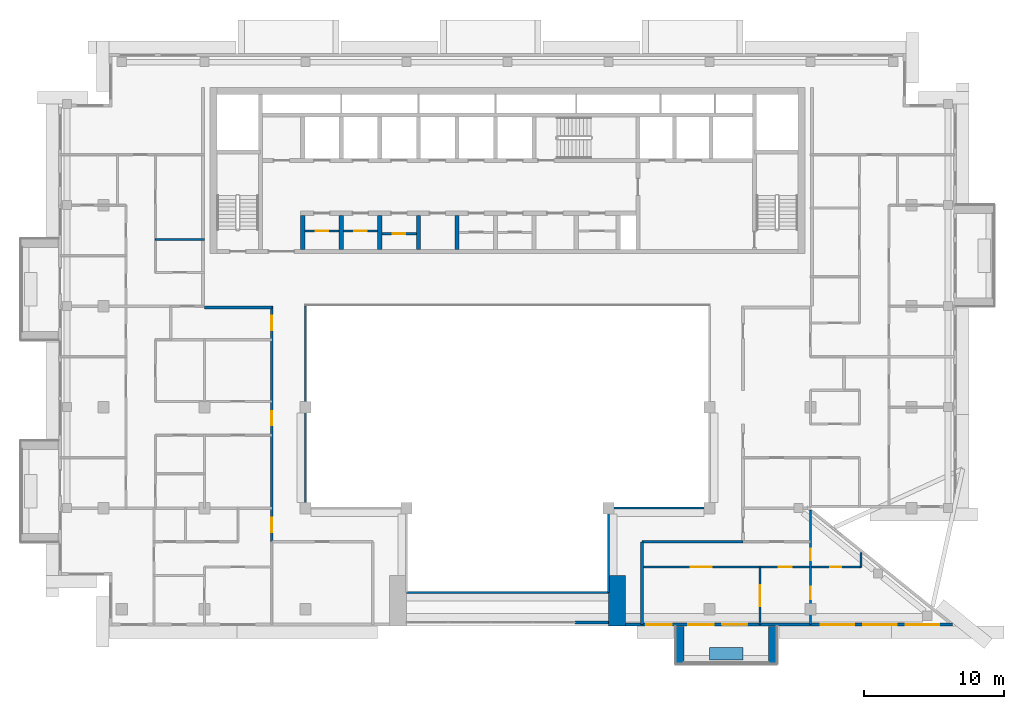
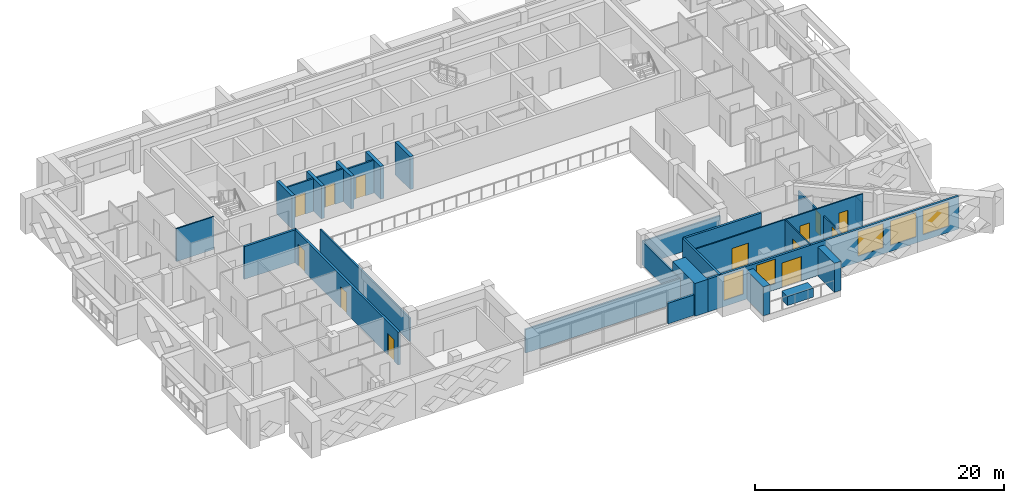
# One storey, part 8 of 19: 27 walls, 13 doors, 5 windows, 18 openings.
"""IFC4 building model written with IfcOpenShell, lengths in metres."""

from ifc_helpers import new_model, si_unit, direction, frame, frame_2d, origin, place, context, subcontext, project, spatial, rectangle, extrude, material, layer, layer_set, type_object, element, fill, save


model = new_model("IFC4")

# Units and contexts
model_context = context("Model", 3, precision=1e-05, world=origin(), true_north=direction((0.0, 1.0)))
body_context = subcontext(model_context, "Body", "Model", "MODEL_VIEW")
ifc_project = project(units=[si_unit("LENGTHUNIT", "METRE"), si_unit("AREAUNIT", "SQUARE_METRE"), si_unit("VOLUMEUNIT", "CUBIC_METRE"), si_unit("PLANEANGLEUNIT", "RADIAN"), si_unit("MASSUNIT", "GRAM", prefix="KILO")], contexts=[model_context])

# Site, building, storey
site_placement = place(None, origin())
site = spatial("IfcSite", under=ifc_project, at=site_placement, CompositionType="ELEMENT")
building_placement = place(site_placement, origin())
building = spatial("IfcBuilding", under=site, at=building_placement, Name="Saffron Iwan Residences", CompositionType="ELEMENT")
storey_placement = place(building_placement, frame((0.0, 0.0, 250.0)))
storey = spatial("IfcBuildingStorey", under=building, at=storey_placement, Name="L67", CompositionType="ELEMENT", Elevation=250.0)

# Walls
ifc_material_1 = material(Name="Fire-rated glazing", Category="glass")
ifc_layer_1 = layer(ifc_material_1, 0.14990234375)
ifc_layer_set_1 = layer_set([ifc_layer_1], Name="Fire-rated glazing")
wall_type_1 = type_object("IfcWallType", Name="Atrium glazed screen 150", PredefinedType="SOLIDWALL", material=ifc_layer_set_1)
wall_1_placement = place(storey_placement, frame((43.199951171875, 42.0, 0.0), z_axis=(0.0, 0.0, 1.0), x_axis=(1.0, 0.0, 0.0)))
element("IfcWall", 1, at=wall_1_placement, inside=storey, type_object=wall_type_1, Name="W-L67-SCREEN-h42-43.2", PredefinedType="SOLIDWALL", context=body_context, shape_type="SweptSolid", body=[
    extrude(rectangle(XDim=14.400146484375, YDim=0.14990234375, at=frame_2d((7.2001953125, 0.0))), origin(), (0.0, 0.0, 1.0), 2.320068359375),
])
wall_2_placement = place(storey_placement, frame((57.60009765625, 48.0, 0.0), z_axis=(0.0, 0.0, 1.0), x_axis=(1.0, 0.0, 0.0)))
element("IfcWall", 2, at=wall_2_placement, inside=storey, type_object=wall_type_1, Name="W-L67-SCREEN-h48-57.6", PredefinedType="SOLIDWALL", context=body_context, shape_type="SweptSolid", body=[
    extrude(rectangle(XDim=7.199951171875, YDim=0.14990234375, at=frame_2d((3.60009765625, 0.0))), origin(), (0.0, 0.0, 1.0), 2.320068359375),
])
wall_3_placement = place(storey_placement, frame((36.0, 48.0, 0.0), z_axis=(0.0, 0.0, 1.0), x_axis=(0.0, 1.0, 0.0)))
element("IfcWall", 3, at=wall_3_placement, inside=storey, type_object=wall_type_1, Name="W-L67-SCREEN-v36-48", PredefinedType="SOLIDWALL", context=body_context, shape_type="SweptSolid", body=[
    extrude(rectangle(XDim=14.39990234375, YDim=0.14990234375, at=frame_2d((7.199951171875, 0.0))), origin(), (0.0, 0.0, 1.0), 2.320068359375),
])
wall_4_placement = place(storey_placement, frame((57.60009765625, 42.0, 0.0), z_axis=(0.0, 0.0, 1.0), x_axis=(0.0, 1.0, 0.0)))
element("IfcWall", 4, at=wall_4_placement, inside=storey, type_object=wall_type_1, Name="W-L67-SCREEN-v57.6-42", PredefinedType="SOLIDWALL", context=body_context, shape_type="SweptSolid", body=[
    extrude(rectangle(XDim=6.0, YDim=0.14990234375, at=frame_2d((3.0, 0.0))), origin(), (0.0, 0.0, 1.0), 2.320068359375),
])
ifc_material_2 = material(Name="Concrete C50/60 white painted", Category="concrete")
ifc_layer_2 = layer(ifc_material_2, 0.60009765625)
ifc_layer_set_2 = layer_set([ifc_layer_2], Name="Concrete C50/60 white painted")
wall_type_2 = type_object("IfcWallType", Name="BALCONY FIN 600", PredefinedType="SOLIDWALL", material=ifc_layer_set_2)
for number, where, z_axis, x_axis, name in (
    (5, (62.699951171875, 39.550048828125, 0.0), (0.0, 0.0, 1.0), (0.0, -1.0, 0.0), "Balcony fin L67 11-1a"),
    (6, (69.300048828125, 39.550048828125, 0.0), (0.0, 0.0, 1.0), (0.0, -1.0, 0.0), "Balcony fin L67 11-1b"),
):
    element("IfcWall", number, at=place(storey_placement, frame(where, z_axis=z_axis, x_axis=x_axis)), inside=storey, type_object=wall_type_2, Name=name, PredefinedType="SOLIDWALL", context=body_context, shape_type="SweptSolid", body=[
        extrude(rectangle(XDim=2.650146484375, YDim=0.60009765625, at=frame_2d((1.3251953125, 0.0))), origin(), (0.0, 0.0, 1.0), 2.85009765625),
    ])
ifc_material_3 = material(Name="Concrete C35/45 white painted", Category="concrete")
ifc_layer_3 = layer(ifc_material_3, 0.14990234375)
ifc_layer_set_3 = layer_set([ifc_layer_3], Name="Concrete C35/45 white painted")
wall_type_3 = type_object("IfcWallType", Name="BALCONY PLANTER", PredefinedType="SOLIDWALL", material=ifc_layer_set_3)
wall_5_placement = place(storey_placement, frame((64.800048828125, 37.625, 0.0), z_axis=(0.0, 0.0, 1.0), x_axis=(1.0, 0.0, 0.0)))
element("IfcWall", 7, at=wall_5_placement, inside=storey, type_object=wall_type_3, Name="PLANTER L67 11-1", PredefinedType="SOLIDWALL", context=body_context, shape_type="SweptSolid", body=[
    extrude(rectangle(XDim=2.39990234375, YDim=0.89990234375, at=frame_2d((1.199951171875, 0.0))), origin(), (0.0, 0.0, 1.0), 0.89990234375),
])

# Wall, opening, door
ifc_material_4 = material(Name="Fire-rated plasterboard partition")
ifc_layer_4 = layer(ifc_material_4, 0.14990234375)
ifc_layer_set_4 = layer_set([ifc_layer_4], Name="Fire-rated plasterboard partition")
wall_type_4 = type_object("IfcWallType", Name="Core partition 150", PredefinedType="PARTITIONING", material=ifc_layer_set_4)
wall_6_placement = place(storey_placement, frame((35.949951171875, 67.759521484375, 0.0), z_axis=(0.0, 0.0, 1.0), x_axis=(1.0, 0.0, 0.0)))
wall_6 = element("IfcWall", 8, at=wall_6_placement, inside=storey, type_object=wall_type_4, Name="Core partition P01", PredefinedType="PARTITIONING", context=body_context, shape_type="SweptSolid", body=[
    extrude(rectangle(XDim=2.449951171875, YDim=0.14990234375, at=frame_2d((1.22509765625, 0.0))), origin(), (0.0, 0.0, 1.0), 3.219970703125),
])
opening_1_placement = place(wall_6_placement, frame((0.77490234375, 0.0, 0.0)))
opening_1 = element("IfcOpeningElement", 9, at=opening_1_placement, cuts=wall_6, Name="Opening SB", PredefinedType="OPENING", context=body_context, shape_type="SweptSolid", body=[
    extrude(rectangle(XDim=0.89990234375, YDim=2.10009765625, at=frame_2d((0.449951171875, 1.050048828125))), frame((0.0, 0.0849609375, 0.0), z_axis=(0.0, -1.0, 0.0), x_axis=(1.0, 0.0, 0.0)), (0.0, 0.0, 1.0), 0.169921875),
])
ifc_material_5 = material(Name="Steel fire door", Category="steel")
door_type_1 = type_object("IfcDoorType", Name="Store door 900", OperationType="NOTDEFINED", PredefinedType="DOOR", material=ifc_material_5)
door_1_placement = place(opening_1_placement, origin())
door_1 = element("IfcDoor", 10, at=door_1_placement, inside=storey, type_object=door_type_1, Name="Door Tool store", OperationType="SINGLE_SWING_LEFT", OverallHeight=2.10009765625, OverallWidth=0.89990234375, PredefinedType="DOOR", context=body_context, shape_type="SweptSolid", body=[
    extrude(rectangle(XDim=0.89990234375, YDim=2.10009765625, at=frame_2d((0.449951171875, 1.050048828125))), frame((0.0, 0.02490234375, 0.0), z_axis=(0.0, -1.0, 0.0), x_axis=(1.0, 0.0, 0.0)), (0.0, 0.0, 1.0), 0.050048828125),
])
fill(opening_1, door_1)

wall_7_placement = place(storey_placement, frame((38.699951171875, 67.759521484375, 0.0), z_axis=(0.0, 0.0, 1.0), x_axis=(1.0, 0.0, 0.0)))
wall_7 = element("IfcWall", 11, at=wall_7_placement, inside=storey, type_object=wall_type_4, Name="Core partition P02", PredefinedType="PARTITIONING", context=body_context, shape_type="SweptSolid", body=[
    extrude(rectangle(XDim=2.449951171875, YDim=0.14990234375, at=frame_2d((1.22509765625, 0.0))), origin(), (0.0, 0.0, 1.0), 3.219970703125),
])
opening_2_placement = place(wall_7_placement, frame((0.77490234375, 0.0, 0.0)))
opening_2 = element("IfcOpeningElement", 12, at=opening_2_placement, cuts=wall_7, Name="Opening SB", PredefinedType="OPENING", context=body_context, shape_type="SweptSolid", body=[
    extrude(rectangle(XDim=0.89990234375, YDim=2.10009765625, at=frame_2d((0.449951171875, 1.050048828125))), frame((0.0, 0.0849609375, 0.0), z_axis=(0.0, -1.0, 0.0), x_axis=(1.0, 0.0, 0.0)), (0.0, 0.0, 1.0), 0.169921875),
])
door_2_placement = place(opening_2_placement, origin())
door_2 = element("IfcDoor", 13, at=door_2_placement, inside=storey, type_object=door_type_1, Name="Door Cabling room", OperationType="SINGLE_SWING_RIGHT", OverallHeight=2.10009765625, OverallWidth=0.89990234375, PredefinedType="DOOR", context=body_context, shape_type="SweptSolid", body=[
    extrude(rectangle(XDim=0.89990234375, YDim=2.10009765625, at=frame_2d((0.449951171875, 1.050048828125))), frame((0.0, 0.02490234375, 0.0), z_axis=(0.0, -1.0, 0.0), x_axis=(1.0, 0.0, 0.0)), (0.0, 0.0, 1.0), 0.050048828125),
])
fill(opening_2, door_2)

wall_8_placement = place(storey_placement, frame((41.449951171875, 67.5654296875, 0.0), z_axis=(0.0, 0.0, 1.0), x_axis=(1.0, 0.0, 0.0)))
wall_8 = element("IfcWall", 14, at=wall_8_placement, inside=storey, type_object=wall_type_4, Name="Core partition P03", PredefinedType="PARTITIONING", context=body_context, shape_type="SweptSolid", body=[
    extrude(rectangle(XDim=2.449951171875, YDim=0.14990234375, at=frame_2d((1.22509765625, 0.0))), origin(), (0.0, 0.0, 1.0), 3.219970703125),
])
opening_3_placement = place(wall_8_placement, frame((0.77490234375, 0.0, 0.0)))
opening_3 = element("IfcOpeningElement", 15, at=opening_3_placement, cuts=wall_8, Name="Opening SB", PredefinedType="OPENING", context=body_context, shape_type="SweptSolid", body=[
    extrude(rectangle(XDim=0.89990234375, YDim=2.10009765625, at=frame_2d((0.449951171875, 1.050048828125))), frame((0.0, 0.0849609375, 0.0), z_axis=(0.0, -1.0, 0.0), x_axis=(1.0, 0.0, 0.0)), (0.0, 0.0, 1.0), 0.169921875),
])
door_3_placement = place(opening_3_placement, origin())
door_3 = element("IfcDoor", 16, at=door_3_placement, inside=storey, type_object=door_type_1, Name="Door Equipment store", OperationType="SINGLE_SWING_RIGHT", OverallHeight=2.10009765625, OverallWidth=0.89990234375, PredefinedType="DOOR", context=body_context, shape_type="SweptSolid", body=[
    extrude(rectangle(XDim=0.89990234375, YDim=2.10009765625, at=frame_2d((0.449951171875, 1.050048828125))), frame((0.0, 0.02490234375, 0.0), z_axis=(0.0, -1.0, 0.0), x_axis=(1.0, 0.0, 0.0)), (0.0, 0.0, 1.0), 0.050048828125),
])
fill(opening_3, door_3)

# Wall, openings, door, windows
ifc_material_6 = material(Name="Concrete C40/50", Category="concrete")
ifc_layer_5 = layer(ifc_material_6, 0.199951171875)
ifc_layer_set_5 = layer_set([ifc_layer_5], Name="Concrete C40/50")
wall_type_5 = type_object("IfcWallType", Name="EXTERNAL WALL 200", PredefinedType="SOLIDWALL", material=ifc_layer_set_5)
wall_9_placement = place(storey_placement, frame((58.800048828125, 39.699951171875, 0.0), z_axis=(0.0, 0.0, 1.0), x_axis=(1.0, 0.0, 0.0)))
wall_9 = element("IfcWall", 17, at=wall_9_placement, inside=storey, type_object=wall_type_5, Name="External wall L67 F11.1", PredefinedType="SOLIDWALL", context=body_context, shape_type="SweptSolid", body=[
    extrude(rectangle(XDim=23.31689453125, YDim=0.199951171875, at=frame_2d((11.658447265625, 0.0))), origin(), (0.0, 0.0, 1.0), 3.219970703125),
])
opening_4_placement = place(wall_9_placement, frame((6.89990234375, 0.0, 0.0)))
opening_4 = element("IfcOpeningElement", 18, at=opening_4_placement, cuts=wall_9, Name="Opening BD1", PredefinedType="OPENING", context=body_context, shape_type="SweptSolid", body=[
    extrude(rectangle(XDim=1.800048828125, YDim=2.39990234375, at=frame_2d((0.89990234375, 1.199951171875))), frame((0.0, 0.10986328125, 0.0), z_axis=(0.0, -1.0, 0.0), x_axis=(1.0, 0.0, 0.0)), (0.0, 0.0, 1.0), 0.219970703125),
])
opening_5_placement = place(wall_9_placement, frame((1.5, 0.0, 0.60009765625)))
opening_5 = element("IfcOpeningElement", 19, at=opening_5_placement, cuts=wall_9, Name="Opening W8", PredefinedType="OPENING", context=body_context, shape_type="SweptSolid", body=[
    extrude(rectangle(XDim=1.800048828125, YDim=2.39990234375, at=frame_2d((0.89990234375, 1.199951171875))), frame((0.0, 0.10986328125, 0.0), z_axis=(0.0, -1.0, 0.0), x_axis=(1.0, 0.0, 0.0)), (0.0, 0.0, 1.0), 0.219970703125),
])
opening_6_placement = place(wall_9_placement, frame((4.5, 0.0, 0.60009765625)))
opening_6 = element("IfcOpeningElement", 20, at=opening_6_placement, cuts=wall_9, Name="Opening W8", PredefinedType="OPENING", context=body_context, shape_type="SweptSolid", body=[
    extrude(rectangle(XDim=1.800048828125, YDim=2.39990234375, at=frame_2d((0.89990234375, 1.199951171875))), frame((0.0, 0.10986328125, 0.0), z_axis=(0.0, -1.0, 0.0), x_axis=(1.0, 0.0, 0.0)), (0.0, 0.0, 1.0), 0.219970703125),
])
opening_7_placement = place(wall_9_placement, frame((13.92919921875, 0.0, 0.60009765625)))
opening_7 = element("IfcOpeningElement", 21, at=opening_7_placement, cuts=wall_9, Name="Opening W1", PredefinedType="OPENING", context=body_context, shape_type="SweptSolid", body=[
    extrude(rectangle(XDim=2.39990234375, YDim=2.39990234375, at=frame_2d((1.199951171875, 1.199951171875))), frame((0.0, 0.10986328125, 0.0), z_axis=(0.0, -1.0, 0.0), x_axis=(1.0, 0.0, 0.0)), (0.0, 0.0, 1.0), 0.219970703125),
])
opening_8_placement = place(wall_9_placement, frame((16.95849609375, 0.0, 0.60009765625)))
opening_8 = element("IfcOpeningElement", 22, at=opening_8_placement, cuts=wall_9, Name="Opening W1", PredefinedType="OPENING", context=body_context, shape_type="SweptSolid", body=[
    extrude(rectangle(XDim=2.39990234375, YDim=2.39990234375, at=frame_2d((1.199951171875, 1.199951171875))), frame((0.0, 0.10986328125, 0.0), z_axis=(0.0, -1.0, 0.0), x_axis=(1.0, 0.0, 0.0)), (0.0, 0.0, 1.0), 0.219970703125),
])
opening_9_placement = place(wall_9_placement, frame((19.98779296875, 0.0, 0.60009765625)))
opening_9 = element("IfcOpeningElement", 23, at=opening_9_placement, cuts=wall_9, Name="Opening W1", PredefinedType="OPENING", context=body_context, shape_type="SweptSolid", body=[
    extrude(rectangle(XDim=2.39990234375, YDim=2.39990234375, at=frame_2d((1.199951171875, 1.199951171875))), frame((0.0, 0.10986328125, 0.0), z_axis=(0.0, -1.0, 0.0), x_axis=(1.0, 0.0, 0.0)), (0.0, 0.0, 1.0), 0.219970703125),
])
ifc_material_7 = material(Name="Clear glass, laminated double glazed", Category="glass")
door_type_2 = type_object("IfcDoorType", Name="BALCONY DOOR 1800 x 2400", OperationType="DOUBLE_DOOR_SLIDING", PredefinedType="DOOR", material=ifc_material_7)
door_4_placement = place(opening_4_placement, origin())
door_4 = element("IfcDoor", 24, at=door_4_placement, inside=storey, type_object=door_type_2, Name="Balcony door L67 F11.0", OperationType="DOUBLE_DOOR_SLIDING", OverallHeight=2.39990234375, OverallWidth=1.800048828125, PredefinedType="DOOR", context=body_context, shape_type="SweptSolid", body=[
    extrude(rectangle(XDim=1.800048828125, YDim=2.39990234375, at=frame_2d((0.89990234375, 1.199951171875))), frame((0.0, 0.02490234375, 0.0), z_axis=(0.0, -1.0, 0.0), x_axis=(1.0, 0.0, 0.0)), (0.0, 0.0, 1.0), 0.050048828125),
])
fill(opening_4, door_4)
window_type_1 = type_object("IfcWindowType", Name="WINDOW 1800 x 2400", PartitioningType="DOUBLE_PANEL_VERTICAL", PredefinedType="WINDOW", material=ifc_material_7)
window_1_placement = place(opening_5_placement, origin())
window_1 = element("IfcWindow", 25, at=window_1_placement, inside=storey, type_object=window_type_1, Name="Window L67 F11.1", OverallHeight=2.39990234375, OverallWidth=1.800048828125, PartitioningType="DOUBLE_PANEL_VERTICAL", PredefinedType="WINDOW", context=body_context, shape_type="SweptSolid", body=[
    extrude(rectangle(XDim=1.800048828125, YDim=2.39990234375, at=frame_2d((0.89990234375, 1.199951171875))), frame((0.0, 0.030029296875, 0.0), z_axis=(0.0, -1.0, 0.0), x_axis=(1.0, 0.0, 0.0)), (0.0, 0.0, 1.0), 0.06005859375),
])
fill(opening_5, window_1)
window_2_placement = place(opening_6_placement, origin())
window_2 = element("IfcWindow", 26, at=window_2_placement, inside=storey, type_object=window_type_1, Name="Window L67 F11.2", OverallHeight=2.39990234375, OverallWidth=1.800048828125, PartitioningType="DOUBLE_PANEL_VERTICAL", PredefinedType="WINDOW", context=body_context, shape_type="SweptSolid", body=[
    extrude(rectangle(XDim=1.800048828125, YDim=2.39990234375, at=frame_2d((0.89990234375, 1.199951171875))), frame((0.0, 0.030029296875, 0.0), z_axis=(0.0, -1.0, 0.0), x_axis=(1.0, 0.0, 0.0)), (0.0, 0.0, 1.0), 0.06005859375),
])
fill(opening_6, window_2)
window_type_2 = type_object("IfcWindowType", Name="WINDOW 2400 x 2400", PartitioningType="DOUBLE_PANEL_VERTICAL", PredefinedType="WINDOW", material=ifc_material_7)
window_3_placement = place(opening_7_placement, origin())
window_3 = element("IfcWindow", 27, at=window_3_placement, inside=storey, type_object=window_type_2, Name="Window L67 F11.3", OverallHeight=2.39990234375, OverallWidth=2.39990234375, PartitioningType="DOUBLE_PANEL_VERTICAL", PredefinedType="WINDOW", context=body_context, shape_type="SweptSolid", body=[
    extrude(rectangle(XDim=2.39990234375, YDim=2.39990234375, at=frame_2d((1.199951171875, 1.199951171875))), frame((0.0, 0.030029296875, 0.0), z_axis=(0.0, -1.0, 0.0), x_axis=(1.0, 0.0, 0.0)), (0.0, 0.0, 1.0), 0.06005859375),
])
fill(opening_7, window_3)
window_4_placement = place(opening_8_placement, origin())
window_4 = element("IfcWindow", 28, at=window_4_placement, inside=storey, type_object=window_type_2, Name="Window L67 F11.4", OverallHeight=2.39990234375, OverallWidth=2.39990234375, PartitioningType="DOUBLE_PANEL_VERTICAL", PredefinedType="WINDOW", context=body_context, shape_type="SweptSolid", body=[
    extrude(rectangle(XDim=2.39990234375, YDim=2.39990234375, at=frame_2d((1.199951171875, 1.199951171875))), frame((0.0, 0.030029296875, 0.0), z_axis=(0.0, -1.0, 0.0), x_axis=(1.0, 0.0, 0.0)), (0.0, 0.0, 1.0), 0.06005859375),
])
fill(opening_8, window_4)
window_5_placement = place(opening_9_placement, origin())
window_5 = element("IfcWindow", 29, at=window_5_placement, inside=storey, type_object=window_type_2, Name="Window L67 F11.5", OverallHeight=2.39990234375, OverallWidth=2.39990234375, PartitioningType="DOUBLE_PANEL_VERTICAL", PredefinedType="WINDOW", context=body_context, shape_type="SweptSolid", body=[
    extrude(rectangle(XDim=2.39990234375, YDim=2.39990234375, at=frame_2d((1.199951171875, 1.199951171875))), frame((0.0, 0.030029296875, 0.0), z_axis=(0.0, -1.0, 0.0), x_axis=(1.0, 0.0, 0.0)), (0.0, 0.0, 1.0), 0.06005859375),
])
fill(opening_9, window_5)

# Wall
wall_10_placement = place(storey_placement, frame((55.199951171875, 39.85009765625, 0.0), z_axis=(0.0, 0.0, 1.0), x_axis=(1.0, 0.0, 0.0)))
element("IfcWall", 30, at=wall_10_placement, inside=storey, type_object=wall_type_5, Name="External wall infill CWB-L67-0", PredefinedType="SOLIDWALL", context=body_context, shape_type="SweptSolid", body=[
    extrude(rectangle(XDim=2.400146484375, YDim=0.199951171875, at=frame_2d((1.2001953125, 0.0))), origin(), (0.0, 0.0, 1.0), 2.02001953125),
])

# Wall, openings, doors
ifc_material_8 = material(Name="Gypsum board partition")
ifc_layer_6 = layer(ifc_material_8, 0.1201171875)
ifc_layer_set_6 = layer_set([ifc_layer_6], Name="Gypsum board partition")
wall_type_6 = type_object("IfcWallType", Name="Flat partition 120", PredefinedType="PARTITIONING", material=ifc_layer_set_6)
wall_11_placement = place(storey_placement, frame((60.0, 43.800048828125, 0.0), z_axis=(0.0, 0.0, 1.0), x_axis=(1.0, 0.0, 0.0)))
wall_11 = element("IfcWall", 31, at=wall_11_placement, inside=storey, type_object=wall_type_6, Name="W-L67-PART-h43.8-60", PredefinedType="PARTITIONING", context=body_context, shape_type="SweptSolid", body=[
    extrude(rectangle(XDim=15.60009765625, YDim=0.1201171875, at=frame_2d((7.800048828125, 0.0))), origin(), (0.0, 0.0, 1.0), 3.219970703125),
])
opening_10_placement = place(wall_11_placement, frame((9.75, 0.0, 0.0)))
opening_10 = element("IfcOpeningElement", 32, at=opening_10_placement, cuts=wall_11, Name="Opening FD2", PredefinedType="OPENING", context=body_context, shape_type="SweptSolid", body=[
    extrude(rectangle(XDim=0.89990234375, YDim=2.10009765625, at=frame_2d((0.449951171875, 1.050048828125))), frame((0.0, 0.070068359375, 0.0), z_axis=(0.0, -1.0, 0.0), x_axis=(1.0, 0.0, 0.0)), (0.0, 0.0, 1.0), 0.14013671875),
])
opening_11_placement = place(wall_11_placement, frame((3.449951171875, 0.0, 0.0)))
opening_11 = element("IfcOpeningElement", 33, at=opening_11_placement, cuts=wall_11, Name="Opening FD4", PredefinedType="OPENING", context=body_context, shape_type="SweptSolid", body=[
    extrude(rectangle(XDim=1.5, YDim=2.10009765625, at=frame_2d((0.75, 1.050048828125))), frame((0.0, 0.070068359375, 0.0), z_axis=(0.0, -1.0, 0.0), x_axis=(1.0, 0.0, 0.0)), (0.0, 0.0, 1.0), 0.14013671875),
])
opening_12_placement = place(wall_11_placement, frame((13.39990234375, 0.0, 0.0)))
opening_12 = element("IfcOpeningElement", 34, at=opening_12_placement, cuts=wall_11, Name="Opening FD3", PredefinedType="OPENING", context=body_context, shape_type="SweptSolid", body=[
    extrude(rectangle(XDim=0.800048828125, YDim=2.10009765625, at=frame_2d((0.39990234375, 1.050048828125))), frame((0.0, 0.070068359375, 0.0), z_axis=(0.0, -1.0, 0.0), x_axis=(1.0, 0.0, 0.0)), (0.0, 0.0, 1.0), 0.14013671875),
])
ifc_material_9 = material(Name="Timber door", Category="wood")
door_type_3 = type_object("IfcDoorType", Name="Bathroom door 800", OperationType="NOTDEFINED", PredefinedType="DOOR", material=ifc_material_9)
door_5_placement = place(opening_12_placement, origin())
door_5 = element("IfcDoor", 35, at=door_5_placement, inside=storey, type_object=door_type_3, Name="Door L67-047", OperationType="SINGLE_SWING_LEFT", OverallHeight=2.10009765625, OverallWidth=0.800048828125, PredefinedType="DOOR", context=body_context, shape_type="SweptSolid", body=[
    extrude(rectangle(XDim=0.800048828125, YDim=2.10009765625, at=frame_2d((0.39990234375, 1.050048828125))), frame((0.0, 0.02490234375, 0.0), z_axis=(0.0, -1.0, 0.0), x_axis=(1.0, 0.0, 0.0)), (0.0, 0.0, 1.0), 0.050048828125),
])
fill(opening_12, door_5)
door_type_4 = type_object("IfcDoorType", Name="Double door 1500", OperationType="NOTDEFINED", PredefinedType="DOOR", material=ifc_material_9)
door_6_placement = place(opening_11_placement, origin())
door_6 = element("IfcDoor", 36, at=door_6_placement, inside=storey, type_object=door_type_4, Name="Door L67-044", OperationType="SINGLE_SWING_LEFT", OverallHeight=2.10009765625, OverallWidth=1.5, PredefinedType="DOOR", context=body_context, shape_type="SweptSolid", body=[
    extrude(rectangle(XDim=1.5, YDim=2.10009765625, at=frame_2d((0.75, 1.050048828125))), frame((0.0, 0.02490234375, 0.0), z_axis=(0.0, -1.0, 0.0), x_axis=(1.0, 0.0, 0.0)), (0.0, 0.0, 1.0), 0.050048828125),
])
fill(opening_11, door_6)
door_type_5 = type_object("IfcDoorType", Name="Flat door 900", OperationType="NOTDEFINED", PredefinedType="DOOR", material=ifc_material_9)
door_7_placement = place(opening_10_placement, origin())
door_7 = element("IfcDoor", 37, at=door_7_placement, inside=storey, type_object=door_type_5, Name="Door L67-043", OperationType="SINGLE_SWING_LEFT", OverallHeight=2.10009765625, OverallWidth=0.89990234375, PredefinedType="DOOR", context=body_context, shape_type="SweptSolid", body=[
    extrude(rectangle(XDim=0.89990234375, YDim=2.10009765625, at=frame_2d((0.449951171875, 1.050048828125))), frame((0.0, 0.02490234375, 0.0), z_axis=(0.0, -1.0, 0.0), x_axis=(1.0, 0.0, 0.0)), (0.0, 0.0, 1.0), 0.050048828125),
])
fill(opening_10, door_7)

# Wall
wall_12_placement = place(storey_placement, frame((25.300048828125, 67.14990234375, 0.0), z_axis=(0.0, 0.0, 1.0), x_axis=(1.0, 0.0, 0.0)))
element("IfcWall", 38, at=wall_12_placement, inside=storey, type_object=wall_type_6, Name="W-L67-PART-h67.15-25.3", PredefinedType="PARTITIONING", context=body_context, shape_type="SweptSolid", body=[
    extrude(rectangle(XDim=3.5, YDim=0.1201171875, at=frame_2d((1.75, 0.0))), origin(), (0.0, 0.0, 1.0), 3.219970703125),
])

# Wall, opening, door
wall_13_placement = place(storey_placement, frame((68.39990234375, 39.72509765625, 0.0), z_axis=(0.0, 0.0, 1.0), x_axis=(0.0, 1.0, 0.0)))
wall_13 = element("IfcWall", 39, at=wall_13_placement, inside=storey, type_object=wall_type_6, Name="W-L67-PART-v68.4-39.725", PredefinedType="PARTITIONING", context=body_context, shape_type="SweptSolid", body=[
    extrude(rectangle(XDim=4.074951171875, YDim=0.1201171875, at=frame_2d((2.03759765625, 0.0))), origin(), (0.0, 0.0, 1.0), 3.219970703125),
])
opening_13_placement = place(wall_13_placement, frame((1.28759765625, 0.0, 0.0)))
opening_13 = element("IfcOpeningElement", 40, at=opening_13_placement, cuts=wall_13, Name="Opening FD4", PredefinedType="OPENING", context=body_context, shape_type="SweptSolid", body=[
    extrude(rectangle(XDim=1.5, YDim=2.10009765625, at=frame_2d((0.75, 1.050048828125))), frame((0.0, 0.070068359375, 0.0), z_axis=(0.0, -1.0, 0.0), x_axis=(1.0, 0.0, 0.0)), (0.0, 0.0, 1.0), 0.14013671875),
])
door_8_placement = place(opening_13_placement, origin())
door_8 = element("IfcDoor", 41, at=door_8_placement, inside=storey, type_object=door_type_4, Name="Door L67-040", OperationType="SINGLE_SWING_LEFT", OverallHeight=2.10009765625, OverallWidth=1.5, PredefinedType="DOOR", context=body_context, shape_type="SweptSolid", body=[
    extrude(rectangle(XDim=1.5, YDim=2.10009765625, at=frame_2d((0.75, 1.050048828125))), frame((0.0, 0.02490234375, 0.0), z_axis=(0.0, -1.0, 0.0), x_axis=(1.0, 0.0, 0.0)), (0.0, 0.0, 1.0), 0.050048828125),
])
fill(opening_13, door_8)

# Wall, openings, doors
wall_14_placement = place(storey_placement, frame((72.0, 39.72509765625, 0.0), z_axis=(0.0, 0.0, 1.0), x_axis=(0.0, 1.0, 0.0)))
wall_14 = element("IfcWall", 42, at=wall_14_placement, inside=storey, type_object=wall_type_6, Name="W-L67-PART-v72-39.725", PredefinedType="PARTITIONING", context=body_context, shape_type="SweptSolid", body=[
    extrude(rectangle(XDim=8.114013671875, YDim=0.1201171875, at=frame_2d((4.05712890625, 0.0))), origin(), (0.0, 0.0, 1.0), 2.320068359375),
])
opening_14_placement = place(wall_14_placement, frame((1.78759765625, 0.0, 0.0)))
opening_14 = element("IfcOpeningElement", 43, at=opening_14_placement, cuts=wall_14, Name="Opening FD2", PredefinedType="OPENING", context=body_context, shape_type="SweptSolid", body=[
    extrude(rectangle(XDim=0.89990234375, YDim=2.10009765625, at=frame_2d((0.449951171875, 1.050048828125))), frame((0.0, 0.070068359375, 0.0), z_axis=(0.0, -1.0, 0.0), x_axis=(1.0, 0.0, 0.0)), (0.0, 0.0, 1.0), 0.14013671875),
])
opening_15_placement = place(wall_14_placement, frame((4.574951171875, 0.0, 0.0)))
opening_15 = element("IfcOpeningElement", 44, at=opening_15_placement, cuts=wall_14, Name="Opening FD3", PredefinedType="OPENING", context=body_context, shape_type="SweptSolid", body=[
    extrude(rectangle(XDim=0.800048828125, YDim=2.10009765625, at=frame_2d((0.39990234375, 1.050048828125))), frame((0.0, 0.070068359375, 0.0), z_axis=(0.0, -1.0, 0.0), x_axis=(1.0, 0.0, 0.0)), (0.0, 0.0, 1.0), 0.14013671875),
])
door_9_placement = place(opening_15_placement, origin())
door_9 = element("IfcDoor", 45, at=door_9_placement, inside=storey, type_object=door_type_3, Name="Door L67-046", OperationType="SINGLE_SWING_LEFT", OverallHeight=2.10009765625, OverallWidth=0.800048828125, PredefinedType="DOOR", context=body_context, shape_type="SweptSolid", body=[
    extrude(rectangle(XDim=0.800048828125, YDim=2.10009765625, at=frame_2d((0.39990234375, 1.050048828125))), frame((0.0, 0.02490234375, 0.0), z_axis=(0.0, -1.0, 0.0), x_axis=(1.0, 0.0, 0.0)), (0.0, 0.0, 1.0), 0.050048828125),
])
fill(opening_15, door_9)
door_10_placement = place(opening_14_placement, origin())
door_10 = element("IfcDoor", 46, at=door_10_placement, inside=storey, type_object=door_type_5, Name="Door L67-045", OperationType="SINGLE_SWING_LEFT", OverallHeight=2.10009765625, OverallWidth=0.89990234375, PredefinedType="DOOR", context=body_context, shape_type="SweptSolid", body=[
    extrude(rectangle(XDim=0.89990234375, YDim=2.10009765625, at=frame_2d((0.449951171875, 1.050048828125))), frame((0.0, 0.02490234375, 0.0), z_axis=(0.0, -1.0, 0.0), x_axis=(1.0, 0.0, 0.0)), (0.0, 0.0, 1.0), 0.050048828125),
])
fill(opening_14, door_10)

# Walls
wall_15_placement = place(storey_placement, frame((75.60009765625, 43.800048828125, 0.0), z_axis=(0.0, 0.0, 1.0), x_axis=(0.0, 1.0, 0.0)))
element("IfcWall", 47, at=wall_15_placement, inside=storey, type_object=wall_type_6, Name="W-L67-PART-v75.6-43.8", PredefinedType="PARTITIONING", context=body_context, shape_type="SweptSolid", body=[
    extrude(rectangle(XDim=1.03515625, YDim=0.1201171875, at=frame_2d((0.517578125, 0.0))), origin(), (0.0, 0.0, 1.0), 2.320068359375),
])
ifc_material_10 = material(Name="Fire-rated gypsum board wall")
ifc_layer_7 = layer(ifc_material_10, 0.199951171875)
ifc_layer_set_7 = layer_set([ifc_layer_7], Name="Fire-rated gypsum board wall")
wall_type_7 = type_object("IfcWallType", Name="Gallery wall 200", PredefinedType="SOLIDWALL", material=ifc_layer_set_7)
wall_16_placement = place(storey_placement, frame((60.0, 45.60009765625, 0.0), z_axis=(0.0, 0.0, 1.0), x_axis=(1.0, 0.0, 0.0)))
element("IfcWall", 48, at=wall_16_placement, inside=storey, type_object=wall_type_7, Name="W-L67-CORR-h45.6-60", PredefinedType="SOLIDWALL", context=body_context, shape_type="SweptSolid", body=[
    extrude(rectangle(XDim=7.199951171875, YDim=0.199951171875, at=frame_2d((3.60009765625, 0.0))), origin(), (0.0, 0.0, 1.0), 3.219970703125),
])
wall_17_placement = place(storey_placement, frame((28.800048828125, 62.300048828125, 0.0), z_axis=(0.0, 0.0, 1.0), x_axis=(1.0, 0.0, 0.0)))
element("IfcWall", 49, at=wall_17_placement, inside=storey, type_object=wall_type_7, Name="W-L67-CORR-h62.4-28.8", PredefinedType="SOLIDWALL", context=body_context, shape_type="SweptSolid", body=[
    extrude(rectangle(XDim=4.800048828125, YDim=0.199951171875, at=frame_2d((2.39990234375, 0.0))), origin(), (0.0, 0.0, 1.0), 3.219970703125),
])

# Wall, openings, doors
wall_18_placement = place(storey_placement, frame((33.60009765625, 45.60009765625, 0.0), z_axis=(0.0, 0.0, 1.0), x_axis=(0.0, 1.0, 0.0)))
wall_18 = element("IfcWall", 50, at=wall_18_placement, inside=storey, type_object=wall_type_7, Name="W-L67-CORR-v33.6-45.6", PredefinedType="SOLIDWALL", context=body_context, shape_type="SweptSolid", body=[
    extrude(rectangle(XDim=16.7998046875, YDim=0.199951171875, at=frame_2d((8.39990234375, 0.0))), origin(), (0.0, 0.0, 1.0), 3.219970703125),
])
opening_16_placement = place(wall_18_placement, frame((0.699951171875, 0.0, 0.0)))
opening_16 = element("IfcOpeningElement", 51, at=opening_16_placement, cuts=wall_18, Name="Opening FD1", PredefinedType="OPENING", context=body_context, shape_type="SweptSolid", body=[
    extrude(rectangle(XDim=1.0, YDim=2.10009765625, at=frame_2d((0.5, 1.050048828125))), frame((0.0, 0.10986328125, 0.0), z_axis=(0.0, -1.0, 0.0), x_axis=(1.0, 0.0, 0.0)), (0.0, 0.0, 1.0), 0.219970703125),
])
opening_17_placement = place(wall_18_placement, frame((8.300048828125, 0.0, 0.0)))
opening_17 = element("IfcOpeningElement", 52, at=opening_17_placement, cuts=wall_18, Name="Opening FD1", PredefinedType="OPENING", context=body_context, shape_type="SweptSolid", body=[
    extrude(rectangle(XDim=1.0, YDim=2.10009765625, at=frame_2d((0.5, 1.050048828125))), frame((0.0, 0.10986328125, 0.0), z_axis=(0.0, -1.0, 0.0), x_axis=(1.0, 0.0, 0.0)), (0.0, 0.0, 1.0), 0.219970703125),
])
opening_18_placement = place(wall_18_placement, frame((15.10009765625, 0.0, 0.0)))
opening_18 = element("IfcOpeningElement", 53, at=opening_18_placement, cuts=wall_18, Name="Opening FD5", PredefinedType="OPENING", context=body_context, shape_type="SweptSolid", body=[
    extrude(rectangle(XDim=1.0, YDim=2.10009765625, at=frame_2d((0.5, 1.050048828125))), frame((0.0, 0.10986328125, 0.0), z_axis=(0.0, -1.0, 0.0), x_axis=(1.0, 0.0, 0.0)), (0.0, 0.0, 1.0), 0.219970703125),
])
ifc_material_11 = material(Name="Fire-rated timber door", Category="wood")
door_type_6 = type_object("IfcDoorType", Name="FD30S flat entrance door 1000", OperationType="NOTDEFINED", PredefinedType="DOOR", material=ifc_material_11)
door_11_placement = place(opening_16_placement, origin())
door_11 = element("IfcDoor", 54, at=door_11_placement, inside=storey, type_object=door_type_6, Name="Door L67-001", OperationType="SINGLE_SWING_LEFT", OverallHeight=2.10009765625, OverallWidth=1.0, PredefinedType="DOOR", context=body_context, shape_type="SweptSolid", body=[
    extrude(rectangle(XDim=1.0, YDim=2.10009765625, at=frame_2d((0.5, 1.050048828125))), frame((0.0, 0.02490234375, 0.0), z_axis=(0.0, -1.0, 0.0), x_axis=(1.0, 0.0, 0.0)), (0.0, 0.0, 1.0), 0.050048828125),
])
fill(opening_16, door_11)
door_12_placement = place(opening_17_placement, origin())
door_12 = element("IfcDoor", 55, at=door_12_placement, inside=storey, type_object=door_type_6, Name="Door L67-008", OperationType="SINGLE_SWING_LEFT", OverallHeight=2.10009765625, OverallWidth=1.0, PredefinedType="DOOR", context=body_context, shape_type="SweptSolid", body=[
    extrude(rectangle(XDim=1.0, YDim=2.10009765625, at=frame_2d((0.5, 1.050048828125))), frame((0.0, 0.02490234375, 0.0), z_axis=(0.0, -1.0, 0.0), x_axis=(1.0, 0.0, 0.0)), (0.0, 0.0, 1.0), 0.050048828125),
])
fill(opening_17, door_12)
door_type_7 = type_object("IfcDoorType", Name="Lobby door 1000", OperationType="NOTDEFINED", PredefinedType="DOOR", material=ifc_material_11)
door_13_placement = place(opening_18_placement, origin())
door_13 = element("IfcDoor", 56, at=door_13_placement, inside=storey, type_object=door_type_7, Name="Door L67-024", OperationType="SINGLE_SWING_RIGHT", OverallHeight=2.10009765625, OverallWidth=1.0, PredefinedType="DOOR", context=body_context, shape_type="SweptSolid", body=[
    extrude(rectangle(XDim=1.0, YDim=2.10009765625, at=frame_2d((0.5, 1.050048828125))), frame((0.0, 0.02490234375, 0.0), z_axis=(0.0, -1.0, 0.0), x_axis=(1.0, 0.0, 0.0)), (0.0, 0.0, 1.0), 0.050048828125),
])
fill(opening_18, door_13)

# Walls
wall_19_placement = place(storey_placement, frame((60.0, 39.72509765625, 0.0), z_axis=(0.0, 0.0, 1.0), x_axis=(0.0, 1.0, 0.0)))
element("IfcWall", 57, at=wall_19_placement, inside=storey, type_object=wall_type_7, Name="W-L67-CORR-v60-39.725", PredefinedType="SOLIDWALL", context=body_context, shape_type="SweptSolid", body=[
    extrude(rectangle(XDim=5.875, YDim=0.199951171875, at=frame_2d((2.9375, 0.0))), origin(), (0.0, 0.0, 1.0), 3.219970703125),
])
ifc_layer_8 = layer(ifc_material_6, 0.300048828125)
ifc_layer_set_8 = layer_set([ifc_layer_8], Name="Concrete C40/50")
wall_type_8 = type_object("IfcWallType", Name="WALL CORE 300 C40/50 3220 HIGH", PredefinedType="SHEAR", material=ifc_layer_set_8)
for number, where, z_axis, x_axis, name in (
    (58, (35.800048828125, 66.449951171875, 0.0), (0.0, 0.0, 1.0), (0.0, 1.0, 0.0), "Core wall"),
    (59, (38.550048828125, 66.449951171875, 0.0), (0.0, 0.0, 1.0), (0.0, 1.0, 0.0), "Core wall"),
    (60, (41.300048828125, 66.449951171875, 0.0), (0.0, 0.0, 1.0), (0.0, 1.0, 0.0), "Core wall"),
    (61, (44.050048828125, 66.449951171875, 0.0), (0.0, 0.0, 1.0), (0.0, 1.0, 0.0), "Core wall"),
    (62, (46.800048828125, 66.449951171875, 0.0), (0.0, 0.0, 1.0), (0.0, 1.0, 0.0), "Core wall"),
):
    element("IfcWall", number, at=place(storey_placement, frame(where, z_axis=z_axis, x_axis=x_axis)), inside=storey, type_object=wall_type_8, Name=name, PredefinedType="SHEAR", context=body_context, shape_type="SweptSolid", body=[
        extrude(rectangle(XDim=2.425048828125, YDim=0.300048828125, at=frame_2d((1.21240234375, 0.0))), origin(), (0.0, 0.0, 1.0), 3.219970703125),
    ])
ifc_layer_9 = layer(ifc_material_6, 1.199951171875)
ifc_layer_set_9 = layer_set([ifc_layer_9], Name="Concrete C40/50")
wall_type_9 = type_object("IfcWallType", Name="WALL IWAN PIER 1200 C40/50 3220 HIGH", PredefinedType="SHEAR", material=ifc_layer_set_9)
wall_20_placement = place(storey_placement, frame((58.199951171875, 39.60009765625, 0.0), z_axis=(0.0, 0.0, 1.0), x_axis=(0.0, 1.0, 0.0)))
element("IfcWall", 63, at=wall_20_placement, inside=storey, type_object=wall_type_9, Name="IWAN PIER", PredefinedType="SHEAR", context=body_context, shape_type="SweptSolid", body=[
    extrude(rectangle(XDim=3.599853515625, YDim=1.199951171875, at=frame_2d((1.7998046875, 0.0))), origin(), (0.0, 0.0, 1.0), 3.219970703125),
])

save(model, "model.ifc")
